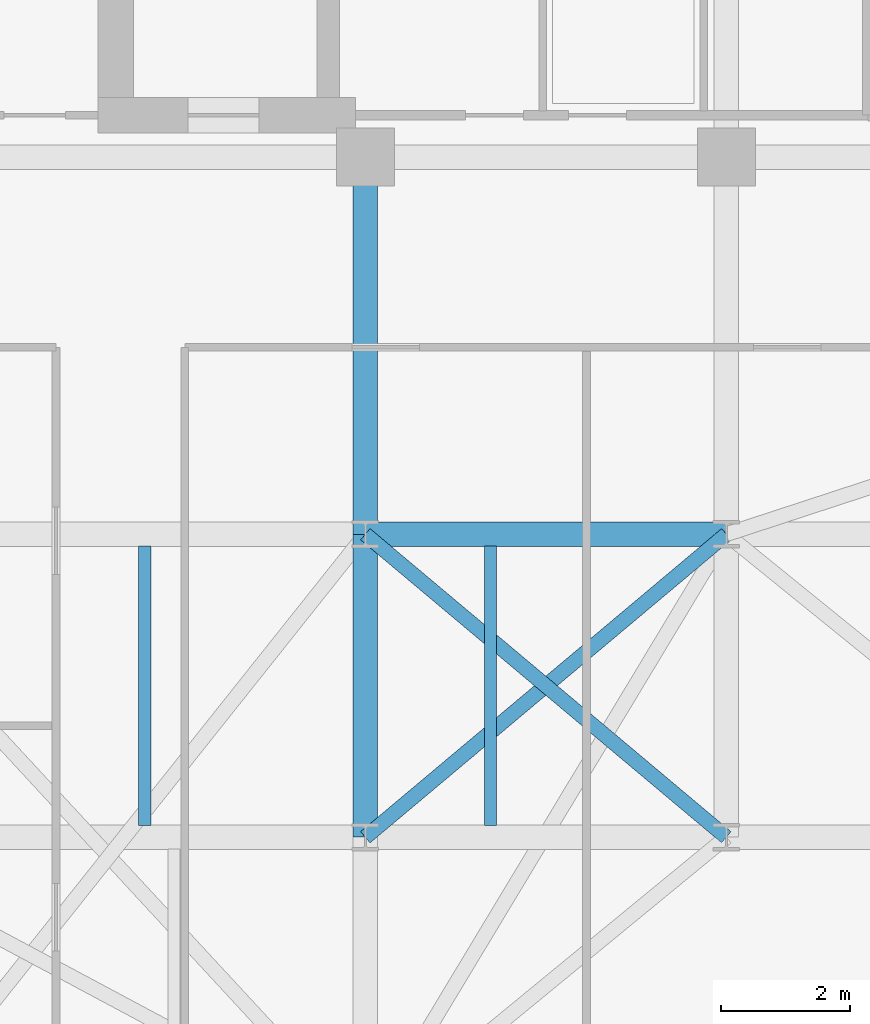
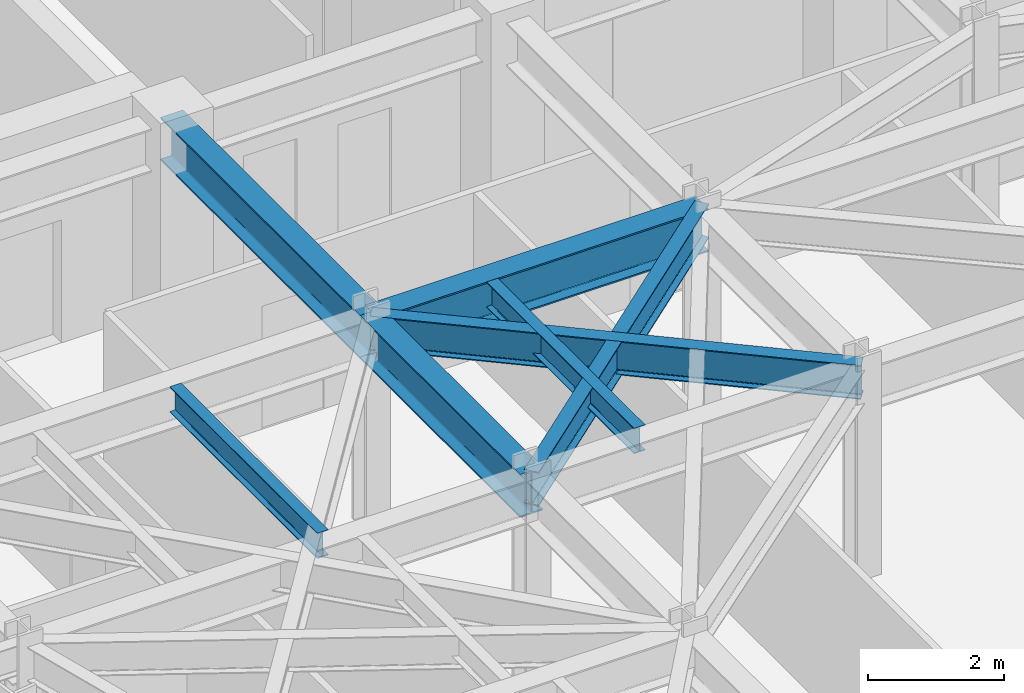
# One storey, part 11 of 27: 7 beams.
"""IFC4 building model written with IfcOpenShell, lengths in metres."""

from ifc_helpers import new_model, si_unit, direction, frame, origin, origin_2d, place, context, subcontext, project, spatial, i_section, extrude, material, material_profile, profile_set, type_object, element, save


model = new_model("IFC4")

# Units and contexts
model_context = context("Model", 3, precision=1e-05, world=origin(), true_north=direction((0.0, 1.0)))
body_context = subcontext(model_context, "Body", "Model", "MODEL_VIEW")
ifc_project = project(units=[si_unit("LENGTHUNIT", "METRE"), si_unit("AREAUNIT", "SQUARE_METRE"), si_unit("VOLUMEUNIT", "CUBIC_METRE"), si_unit("PLANEANGLEUNIT", "RADIAN"), si_unit("MASSUNIT", "GRAM", prefix="KILO")], contexts=[model_context])

# Site, building, storey
site_placement = place(None, origin())
site = spatial("IfcSite", under=ifc_project, at=site_placement, CompositionType="ELEMENT")
building_placement = place(site_placement, origin())
building = spatial("IfcBuilding", under=site, at=building_placement, Name="Kravanh Interchange Tower", CompositionType="ELEMENT")
storey_placement = place(building_placement, frame((0.0, 0.0, 188.5)))
storey = spatial("IfcBuildingStorey", under=building, at=storey_placement, Name="L45", CompositionType="ELEMENT", Elevation=188.5)

# Beams
ifc_material_1 = material(Name="Structural Steel S355", Category="steel")
ifc_material_profile_1 = material_profile(ifc_material_1, i_section(OverallWidth=0.381103515625, OverallDepth=0.77294921875, WebThickness=0.0166015625, FlangeThickness=0.027099609375, FilletRadius=0.02490234375, at=origin_2d()), Name="W30X173")
ifc_profile_set_1 = profile_set([ifc_material_profile_1], Name="Structural Steel S355")
beam_type_1 = type_object("IfcBeamType", Name="Floor Beam W30X173 Structural Steel S355", PredefinedType="BEAM", material=ifc_profile_set_1)
beam_1_placement = place(storey_placement, frame((27.199951171875, 37.35009765625, 3.368408203125), z_axis=(0.0, -1.0, 0.0), x_axis=(1.0, 0.0, 0.0)))
element("IfcBeam", 1, at=beam_1_placement, inside=storey, type_object=beam_type_1, Name="L45 Primary Floor Girder 24", PredefinedType="BEAM", context=body_context, shape_type="SweptSolid", body=[
    extrude(i_section(OverallWidth=0.381103515625, OverallDepth=0.77294921875, WebThickness=0.0166015625, FlangeThickness=0.027099609375, FilletRadius=0.02490234375, at=origin_2d()), origin(), (0.0, 0.0, 1.0), 5.85009765625),
])
beam_2_placement = place(storey_placement, frame((27.199951171875, 26.800048828125, 3.368408203125), z_axis=(0.0, 1.0, 0.0), x_axis=(-1.0, 0.0, 0.0)))
element("IfcBeam", 2, at=beam_2_placement, inside=storey, type_object=beam_type_1, Name="L45 Primary Floor Girder 38", PredefinedType="BEAM", context=body_context, shape_type="SweptSolid", body=[
    extrude(i_section(OverallWidth=0.381103515625, OverallDepth=0.77294921875, WebThickness=0.0166015625, FlangeThickness=0.027099609375, FilletRadius=0.02490234375, at=origin_2d()), origin(), (0.0, 0.0, 1.0), 4.699951171875),
])
beam_3_placement = place(storey_placement, frame((27.199951171875, 31.5, 3.368408203125), z_axis=(1.0, 0.0, 0.0), x_axis=(0.0, 1.0, 0.0)))
element("IfcBeam", 3, at=beam_3_placement, inside=storey, type_object=beam_type_1, Name="L45 Primary Floor Girder 64", PredefinedType="BEAM", context=body_context, shape_type="SweptSolid", body=[
    extrude(i_section(OverallWidth=0.381103515625, OverallDepth=0.77294921875, WebThickness=0.0166015625, FlangeThickness=0.027099609375, FilletRadius=0.02490234375, at=origin_2d()), origin(), (0.0, 0.0, 1.0), 5.60009765625),
])
ifc_material_2 = material(Name="Structural Steel S355", Category="steel")
ifc_material_profile_2 = material_profile(ifc_material_2, i_section(OverallWidth=0.18994140625, OverallDepth=0.45703125, WebThickness=0.009033203125, FlangeThickness=0.014404296875, FilletRadius=0.01806640625, at=origin_2d()), Name="W18X50")
ifc_profile_set_2 = profile_set([ifc_material_profile_2], Name="Structural Steel S355")
beam_type_2 = type_object("IfcBeamType", Name="Floor Joist W18X50 Structural Steel S355", PredefinedType="JOIST", material=ifc_profile_set_2)
for number, where, z_axis, x_axis, name in (
    (4, (23.77587890625, 26.985595703125, 3.526611328125), (0.0, 1.0, 0.0), (-1.0, 0.0, 0.0), "L45 Secondary Floor Joist 10"),
    (5, (29.139892578125, 26.985595703125, 3.526611328125), (0.0, 1.0, 0.0), (-1.0, 0.0, 0.0), "L45 Secondary Floor Joist 11"),
):
    element("IfcBeam", number, at=place(storey_placement, frame(where, z_axis=z_axis, x_axis=x_axis)), inside=storey, type_object=beam_type_2, Name=name, PredefinedType="JOIST", context=body_context, shape_type="SweptSolid", body=[
        extrude(i_section(OverallWidth=0.18994140625, OverallDepth=0.45703125, WebThickness=0.009033203125, FlangeThickness=0.014404296875, FilletRadius=0.01806640625, at=origin_2d()), origin(), (0.0, 0.0, 1.0), 4.328857421875),
    ])
ifc_material_3 = material(Name="Structural Steel S355", Category="steel")
ifc_material_profile_3 = material_profile(ifc_material_3, i_section(OverallWidth=0.22802734375, OverallDepth=0.60791015625, WebThickness=0.01123046875, FlangeThickness=0.017333984375, FilletRadius=0.02197265625, at=origin_2d()), Name="W24X76")
ifc_profile_set_3 = profile_set([ifc_material_profile_3], Name="Structural Steel S355")
beam_type_3 = type_object("IfcBeamType", Name="Floor Spandrel W24X76 Structural Steel S355", PredefinedType="SPANDREL", material=ifc_profile_set_3)
for number, where, z_axis, x_axis, name in (
    (6, (27.199951171875, 26.800048828125, 3.450927734375), (0.765983062929, 0.642860752657, 0.0), (-0.642860752657, 0.765983062929, 0.0), "L45 Perimeter Spandrel 40"),
    (7, (32.800048828125, 26.800048828125, 3.450927734375), (-0.765983062929, 0.642860752657, 0.0), (-0.642860752657, -0.765983062929, 0.0), "L45 Perimeter Spandrel 44"),
):
    element("IfcBeam", number, at=place(storey_placement, frame(where, z_axis=z_axis, x_axis=x_axis)), inside=storey, type_object=beam_type_3, Name=name, PredefinedType="SPANDREL", context=body_context, shape_type="SweptSolid", body=[
        extrude(i_section(OverallWidth=0.22802734375, OverallDepth=0.60791015625, WebThickness=0.01123046875, FlangeThickness=0.017333984375, FilletRadius=0.02197265625, at=origin_2d()), origin(), (0.0, 0.0, 1.0), 7.31103515625),
    ])

save(model, "model.ifc")
